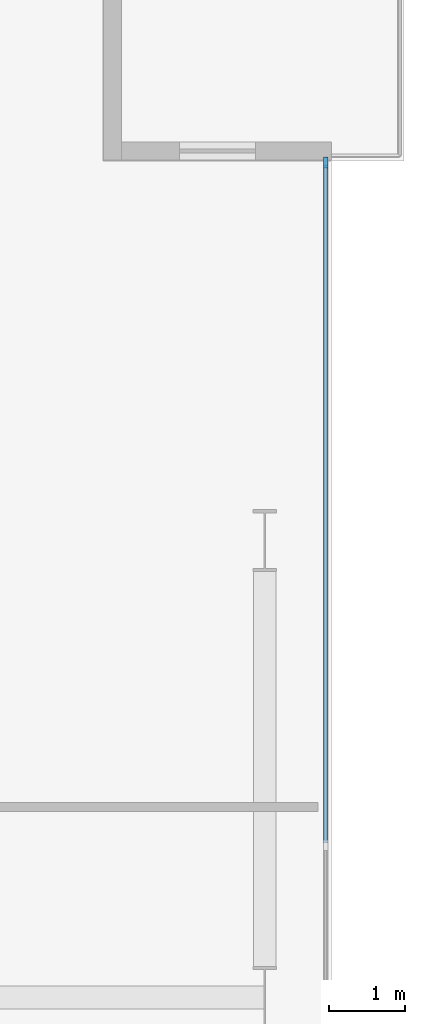
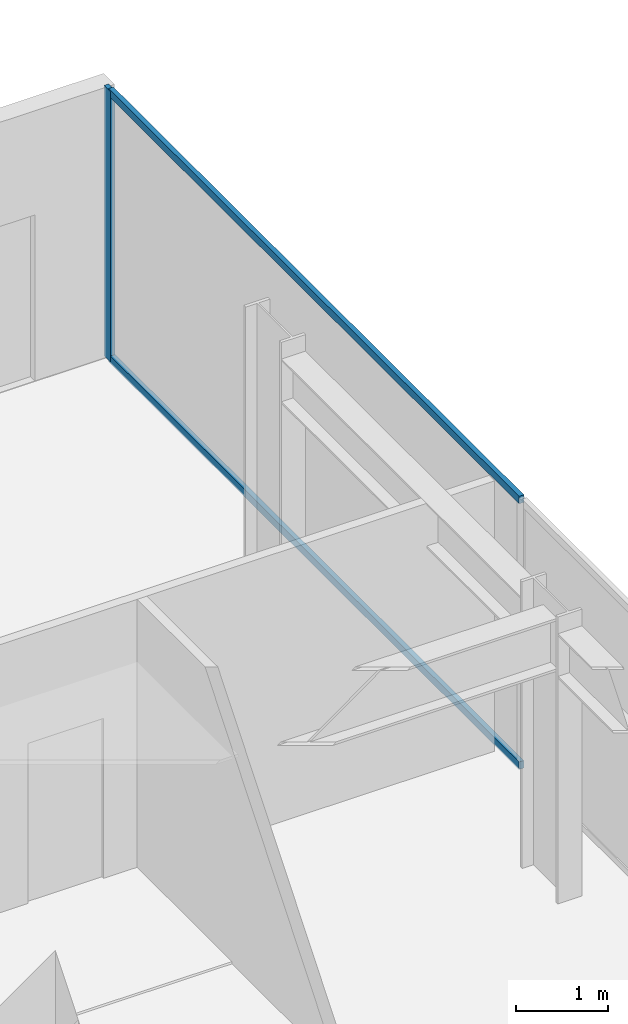
# One storey, part 15 of 23: 3 members, 1 element without a shape of its own.
"""IFC4 building model written with IfcOpenShell, lengths in metres."""

from ifc_helpers import new_model, si_unit, direction, frame, origin, origin_2d, place, context, subcontext, project, spatial, rectangle, extrude, material, layer, layer_set, material_profile, profile_set, type_object, element, aggregate, save


model = new_model("IFC4")

# Units and contexts
model_context = context("Model", 3, precision=1e-05, world=origin(), true_north=direction((0.0, 1.0)))
body_context = subcontext(model_context, "Body", "Model", "MODEL_VIEW")
ifc_project = project(units=[si_unit("LENGTHUNIT", "METRE"), si_unit("AREAUNIT", "SQUARE_METRE"), si_unit("VOLUMEUNIT", "CUBIC_METRE"), si_unit("PLANEANGLEUNIT", "RADIAN"), si_unit("MASSUNIT", "GRAM", prefix="KILO")], contexts=[model_context])

# Site, building, storey
site_placement = place(None, origin())
site = spatial("IfcSite", under=ifc_project, at=site_placement, CompositionType="ELEMENT")
building_placement = place(site_placement, origin())
building = spatial("IfcBuilding", under=site, at=building_placement, Name="Putna Gate Headquarters", CompositionType="ELEMENT")
storey_placement = place(building_placement, frame((0.0, 0.0, 202.39990234375)))
storey = spatial("IfcBuildingStorey", under=building, at=storey_placement, Name="L50", CompositionType="ELEMENT", Elevation=202.39990234375)

# Curtain wall, members
ifc_material_1 = material(Name="Anodised bronze aluminium curtain wall", Category="aluminium")
ifc_layer = layer(ifc_material_1, 0.139892578125)
ifc_layer_set = layer_set([ifc_layer], Name="Anodised bronze aluminium curtain wall")
curtain_wall_type = type_object("IfcCurtainWallType", Name="CW-SYS-Z4", PredefinedType="USERDEFINED", material=ifc_layer_set)
curtain_wall_placement = place(storey_placement, origin())
curtain_wall = element("IfcCurtainWall", 1, at=curtain_wall_placement, inside=storey, type_object=curtain_wall_type, Name="L50 East Curtain Wall", ObjectType="STICK CURTAIN WALL", PredefinedType="USERDEFINED")
ifc_material_2 = material(Name="Anodised bronze aluminium EN AW-6060", Category="aluminium")
ifc_material_profile_1 = material_profile(ifc_material_2, rectangle(XDim=0.06005859375, YDim=0.139892578125, at=origin_2d()), Name="Anodised bronze aluminium EN AW-6060")
ifc_profile_set_1 = profile_set([ifc_material_profile_1], Name="Anodised bronze aluminium EN AW-6060")
member_type_1 = type_object("IfcMemberType", Name="MULL-CWM-4", PredefinedType="MULLION", material=ifc_profile_set_1)
member_1_placement = place(storey_placement, frame((72.1201171875, 43.969970703125, 0.0), z_axis=(0.0, 0.0, 1.0), x_axis=(-1.0, 0.0, 0.0)))
member_1 = element("IfcMember", 2, at=member_1_placement, type_object=member_type_1, Name="CWS-4 mullion 5", PredefinedType="MULLION", context=body_context, shape_type="SweptSolid", body=[
    extrude(rectangle(XDim=0.06005859375, YDim=0.139892578125, at=origin_2d()), origin(), (0.0, 0.0, 1.0), 3.580078125),
])
ifc_material_profile_2 = material_profile(ifc_material_2, rectangle(XDim=0.06005859375, YDim=0.10009765625, at=origin_2d()), Name="Anodised bronze aluminium EN AW-6060")
ifc_profile_set_2 = profile_set([ifc_material_profile_2], Name="Anodised bronze aluminium EN AW-6060")
member_type_2 = type_object("IfcMemberType", Name="TRAN-CWT-4", PredefinedType="USERDEFINED", material=ifc_profile_set_2)
member_2_placement = place(storey_placement, frame((72.1201171875, 35.030029296875, 0.030029296875), z_axis=(0.0, 1.0, 0.0), x_axis=(-1.0, 0.0, 0.0)))
member_2 = element("IfcMember", 3, at=member_2_placement, type_object=member_type_2, Name="CWS-4 transom 4.1", ObjectType="TRANSOM", PredefinedType="USERDEFINED", context=body_context, shape_type="SweptSolid", body=[
    extrude(rectangle(XDim=0.06005859375, YDim=0.10009765625, at=origin_2d()), origin(), (0.0, 0.0, 1.0), 8.909912109375),
])
member_3_placement = place(storey_placement, frame((72.1201171875, 35.030029296875, 3.550048828125), z_axis=(0.0, 1.0, 0.0), x_axis=(-1.0, 0.0, 0.0)))
member_3 = element("IfcMember", 4, at=member_3_placement, type_object=member_type_2, Name="CWS-4 transom 4.2", ObjectType="TRANSOM", PredefinedType="USERDEFINED", context=body_context, shape_type="SweptSolid", body=[
    extrude(rectangle(XDim=0.06005859375, YDim=0.10009765625, at=origin_2d()), origin(), (0.0, 0.0, 1.0), 8.909912109375),
])
aggregate(curtain_wall, [member_1, member_2, member_3])

save(model, "model.ifc")
